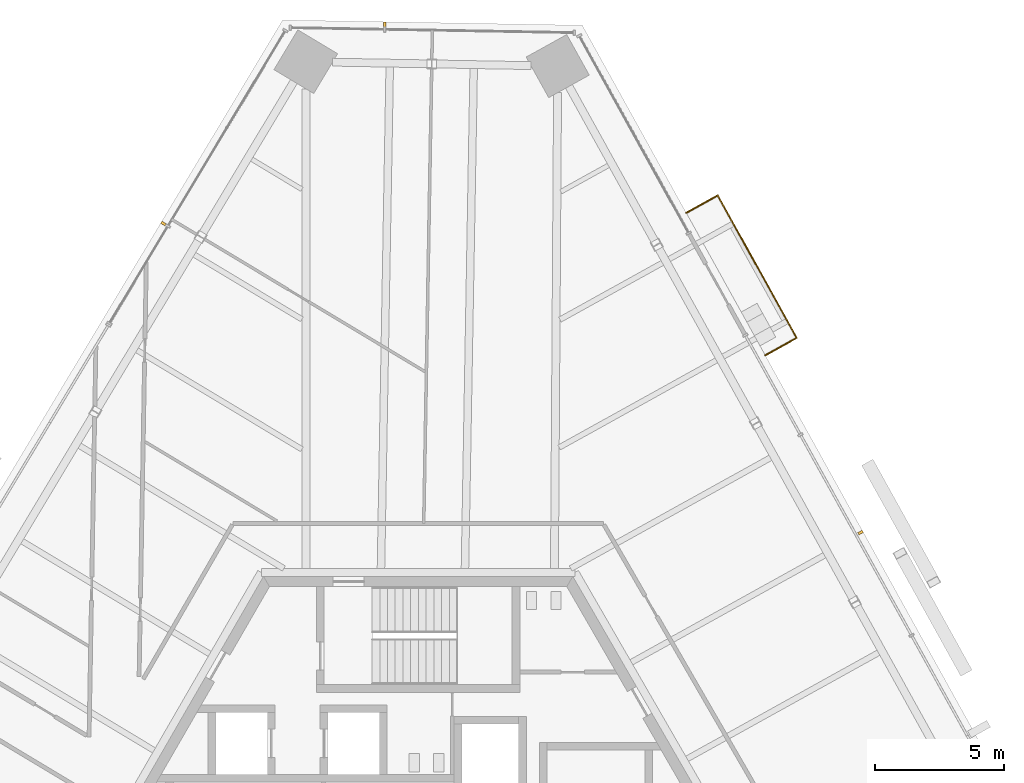
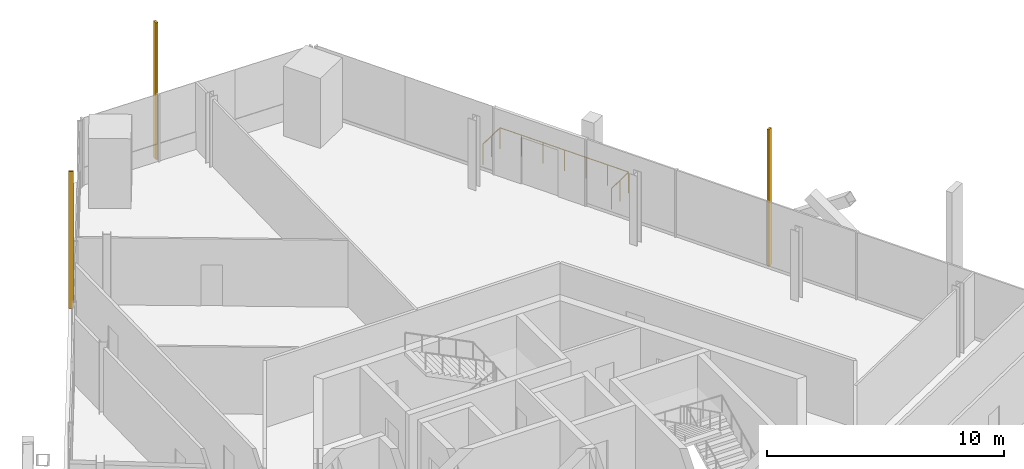
# One storey, part 17 of 20: 3 shading devices, 1 railing.
"""IFC4 building model written with IfcOpenShell, lengths in metres."""

from ifc_helpers import new_model, si_unit, direction, frame, origin, origin_2d, place, context, subcontext, project, spatial, rectangle, circle, extrude, source, transform, mapped, material, type_object, element, save


model = new_model("IFC4")

# Units and contexts
model_context = context("Model", 3, precision=1e-05, world=origin(), true_north=direction((0.0, 1.0)))
body_context = subcontext(model_context, "Body", "Model", "MODEL_VIEW")
ifc_project = project(units=[si_unit("LENGTHUNIT", "METRE"), si_unit("AREAUNIT", "SQUARE_METRE"), si_unit("VOLUMEUNIT", "CUBIC_METRE"), si_unit("PLANEANGLEUNIT", "RADIAN"), si_unit("MASSUNIT", "GRAM", prefix="KILO")], contexts=[model_context])

# Site, building, storey
site_placement = place(None, origin())
site = spatial("IfcSite", under=ifc_project, at=site_placement, CompositionType="ELEMENT")
building_placement = place(site_placement, origin())
building = spatial("IfcBuilding", under=site, at=building_placement, Name="Triune Harvest Tower", CompositionType="ELEMENT")
storey_placement = place(building_placement, frame((0.0, 0.0, 194.300048828125)))
storey = spatial("IfcBuildingStorey", under=building, at=storey_placement, Name="L50", CompositionType="ELEMENT", Elevation=194.300048828125)

# Shading devices
ifc_material_1 = material(Name="Aluminium bronze anodised", Category="aluminium")
shared_shape_1 = source(origin(), body_context, "Body", "SweptSolid", [
    extrude(rectangle(XDim=0.10009765625, YDim=0.199951171875, at=origin_2d()), origin(), (0.0, 0.0, 1.0), 7.0400390625),
])
for number, where, z_axis, x_axis, name in (
    (1, (17.167236328125, 12.091796875, 0.0), (0.0, 0.0, 1.0), (-0.48480848305, 0.874620337497, 0.0), "FN-1 fin B5-F1.7 L50"),
    (2, (-1.295166015625, 31.8125, 0.0), (0.0, 0.0, 1.0), (-0.999847801404, 0.017446318452, 0.0), "FN-1 fin B5-F2.3 L50"),
    (3, (-9.8837890625, 24.085693359375, 0.0), (0.0, 0.0, 1.0), (-0.515036632219, -0.857168167557, 0.0), "FN-1 fin B5-F3.3 L50"),
):
    element("IfcShadingDevice", number, at=place(storey_placement, frame(where, z_axis=z_axis, x_axis=x_axis)), inside=storey, material=ifc_material_1, Name=name, ObjectType="FIN", PredefinedType="USERDEFINED", context=body_context, shape_type="MappedRepresentation", body=[
        mapped(shared_shape_1, transform((0.0, 0.0, 0.0), scale=1.0)),
    ])

# Railing
ifc_material_2 = material(Name="Glass", Category="glass")
railing_type = type_object("IfcRailingType", Name="GD-2 balcony guard 1100", PredefinedType="GUARDRAIL", material=ifc_material_2)
shared_shape_2 = source(origin(), body_context, "Body", "SweptSolid", [
    extrude(circle(Radius=0.02392578125, at=origin_2d()), frame((0.0, 0.0, 1.076171875), z_axis=(0.874594831229, 0.484854494861, 0.0), x_axis=(-0.484854494861, 0.874594831229, 0.0)), (0.0, 0.0, 1.0), 1.393798828125),
    extrude(circle(Radius=0.02392578125, at=origin_2d()), frame((1.218994140625, 0.67578125, 1.076171875), z_axis=(-0.484823039855, 0.874612268394, 0.0), x_axis=(-0.874612268394, -0.484823039855, 0.0)), (0.0, 0.0, 1.0), 6.322265625),
    extrude(circle(Radius=0.02392578125, at=origin_2d()), frame((-1.84619140625, 6.205322265625, 1.076171875), z_axis=(-0.874594831229, -0.484854494861, 0.0), x_axis=(0.484854494861, -0.874594831229, 0.0)), (0.0, 0.0, 1.0), 1.393798828125),
    extrude(circle(Radius=0.02099609375, at=origin_2d()), origin(), (0.0, 0.0, 1.0), 1.052001953125),
    extrude(circle(Radius=0.02099609375, at=origin_2d()), frame((0.609375, 0.337890625, 0.0)), (0.0, 0.0, 1.0), 1.052001953125),
    extrude(circle(Radius=0.02099609375, at=origin_2d()), frame((1.218994140625, 0.67578125, 0.0)), (0.0, 0.0, 1.0), 1.052001953125),
    extrude(circle(Radius=0.02099609375, at=origin_2d()), frame((0.7080078125, 1.597412109375, 0.0)), (0.0, 0.0, 1.0), 1.052001953125),
    extrude(circle(Radius=0.02099609375, at=origin_2d()), frame((0.197265625, 2.51904296875, 0.0)), (0.0, 0.0, 1.0), 1.052001953125),
    extrude(circle(Radius=0.02099609375, at=origin_2d()), frame((-0.3134765625, 3.4404296875, 0.0)), (0.0, 0.0, 1.0), 1.052001953125),
    extrude(circle(Radius=0.02099609375, at=origin_2d()), frame((-0.824462890625, 4.362060546875, 0.0)), (0.0, 0.0, 1.0), 1.052001953125),
    extrude(circle(Radius=0.02099609375, at=origin_2d()), frame((-1.33544921875, 5.28369140625, 0.0)), (0.0, 0.0, 1.0), 1.052001953125),
    extrude(circle(Radius=0.02099609375, at=origin_2d()), frame((-1.84619140625, 6.205322265625, 0.0)), (0.0, 0.0, 1.0), 1.052001953125),
    extrude(circle(Radius=0.02099609375, at=origin_2d()), frame((-2.45556640625, 5.867431640625, 0.0)), (0.0, 0.0, 1.0), 1.052001953125),
    extrude(circle(Radius=0.02099609375, at=origin_2d()), frame((-3.065185546875, 5.529541015625, 0.0)), (0.0, 0.0, 1.0), 1.052001953125),
])
railing_placement = place(storey_placement, frame((13.469970703125, 18.96826171875, 0.0)))
element("IfcRailing", 4, at=railing_placement, inside=storey, type_object=railing_type, Name="Balcony guard B5-F1 L50.9", PredefinedType="GUARDRAIL", context=body_context, shape_type="MappedRepresentation", body=[
    mapped(shared_shape_2, transform((0.0, 0.0, 0.0), scale=1.0)),
])

save(model, "model.ifc")
